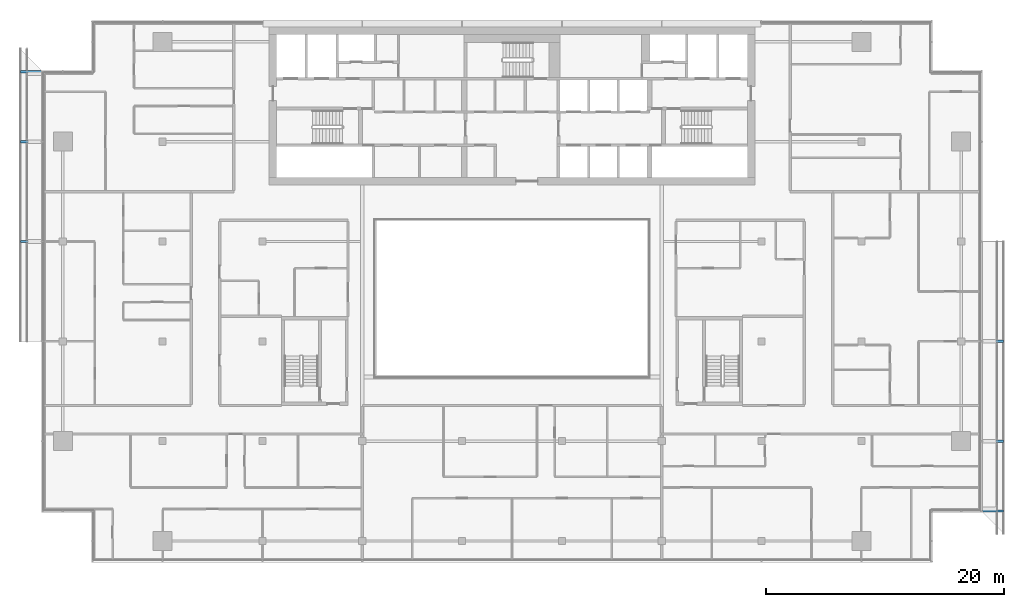
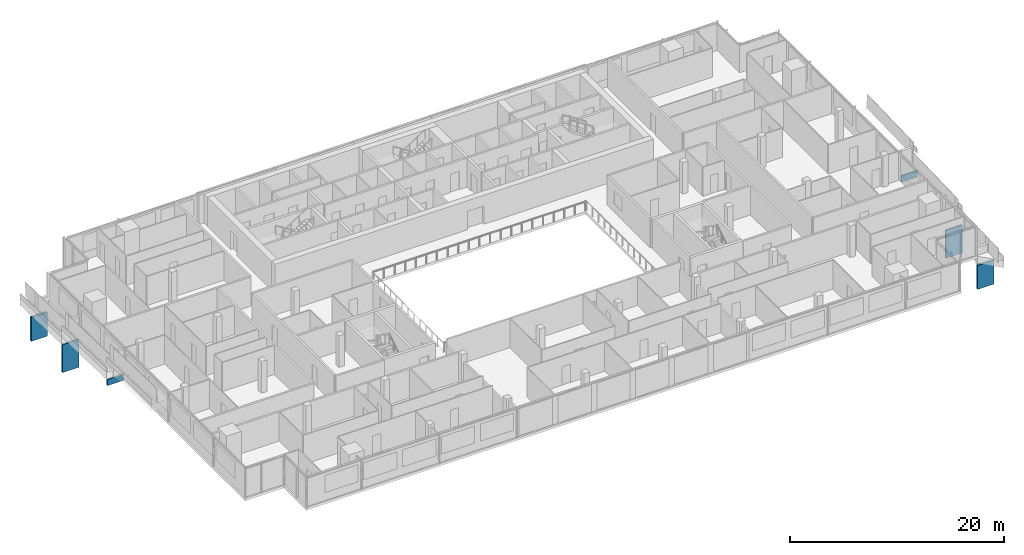
# One storey, part 25 of 28: 6 discrete accessories.
"""IFC4 building model written with IfcOpenShell, lengths in metres."""

from ifc_helpers import new_model, si_unit, direction, frame, origin, origin_2d, place, context, subcontext, project, spatial, rectangle, extrude, element, save


model = new_model("IFC4")

# Units and contexts
model_context = context("Model", 3, precision=1e-05, world=origin(), true_north=direction((0.0, 1.0)))
body_context = subcontext(model_context, "Body", "Model", "MODEL_VIEW")
ifc_project = project(units=[si_unit("LENGTHUNIT", "METRE"), si_unit("AREAUNIT", "SQUARE_METRE"), si_unit("VOLUMEUNIT", "CUBIC_METRE"), si_unit("PLANEANGLEUNIT", "RADIAN"), si_unit("MASSUNIT", "GRAM", prefix="KILO")], contexts=[model_context])

# Site, building, storey
site_placement = place(None, origin())
site = spatial("IfcSite", under=ifc_project, at=site_placement, CompositionType="ELEMENT")
building_placement = place(site_placement, origin())
building = spatial("IfcBuilding", under=site, at=building_placement, Name="Saffron Gate Tower", CompositionType="ELEMENT")
storey_placement = place(building_placement, frame((0.0, 0.0, 241.5)))
storey = spatial("IfcBuildingStorey", under=building, at=storey_placement, Name="L59", CompositionType="ELEMENT", Elevation=241.5)

# Discrete accessories
discrete_accessory_1_placement = place(storey_placement, frame((47.125, 71.280029296875, -3.8798828125), z_axis=(0.0, 0.0, 1.0), x_axis=(0.0, -1.0, 0.0)))
element("IfcDiscreteAccessory", 1, at=discrete_accessory_1_placement, inside=storey, Name="LEDGE rib", PredefinedType="BRACKET", context=body_context, shape_type="SweptSolid", body=[
    extrude(rectangle(XDim=0.199951171875, YDim=1.75, at=origin_2d()), origin(), (0.0, 0.0, 1.0), 2.7509765625),
])
discrete_accessory_2_placement = place(storey_placement, frame((47.125, 65.39990234375, -3.880126953125), z_axis=(0.0, 0.0, 1.0), x_axis=(0.0, -1.0, 0.0)))
element("IfcDiscreteAccessory", 2, at=discrete_accessory_2_placement, inside=storey, Name="LEDGE rib", PredefinedType="BRACKET", context=body_context, shape_type="SweptSolid", body=[
    extrude(rectangle(XDim=0.199951171875, YDim=1.75, at=origin_2d()), origin(), (0.0, 0.0, 1.0), 3.18115234375),
])
discrete_accessory_3_placement = place(storey_placement, frame((47.125, 57.0, -0.27978515625), z_axis=(0.0, 0.0, 1.0), x_axis=(0.0, -1.0, 0.0)))
element("IfcDiscreteAccessory", 3, at=discrete_accessory_3_placement, inside=storey, Name="LEDGE rib", PredefinedType="BRACKET", context=body_context, shape_type="SweptSolid", body=[
    extrude(rectangle(XDim=0.199951171875, YDim=1.75, at=origin_2d()), origin(), (0.0, 0.0, 1.0), 0.680419921875),
])
discrete_accessory_4_placement = place(storey_placement, frame((128.074951171875, 34.320068359375, -3.8798828125), z_axis=(0.0, 0.0, 1.0), x_axis=(0.0, 1.0, 0.0)))
element("IfcDiscreteAccessory", 4, at=discrete_accessory_4_placement, inside=storey, Name="LEDGE rib", PredefinedType="BRACKET", context=body_context, shape_type="SweptSolid", body=[
    extrude(rectangle(XDim=0.199951171875, YDim=1.75, at=origin_2d()), origin(), (0.0, 0.0, 1.0), 2.7509765625),
])
discrete_accessory_5_placement = place(storey_placement, frame((128.074951171875, 40.199951171875, -3.880126953125), z_axis=(0.0, 0.0, 1.0), x_axis=(0.0, 1.0, 0.0)))
element("IfcDiscreteAccessory", 5, at=discrete_accessory_5_placement, inside=storey, Name="LEDGE rib", PredefinedType="BRACKET", context=body_context, shape_type="SweptSolid", body=[
    extrude(rectangle(XDim=0.199951171875, YDim=1.75, at=origin_2d()), origin(), (0.0, 0.0, 1.0), 3.18115234375),
])
discrete_accessory_6_placement = place(storey_placement, frame((128.074951171875, 48.60009765625, -0.27978515625), z_axis=(0.0, 0.0, 1.0), x_axis=(0.0, 1.0, 0.0)))
element("IfcDiscreteAccessory", 6, at=discrete_accessory_6_placement, inside=storey, Name="LEDGE rib", PredefinedType="BRACKET", context=body_context, shape_type="SweptSolid", body=[
    extrude(rectangle(XDim=0.199951171875, YDim=1.75, at=origin_2d()), origin(), (0.0, 0.0, 1.0), 0.680419921875),
])

save(model, "model.ifc")
